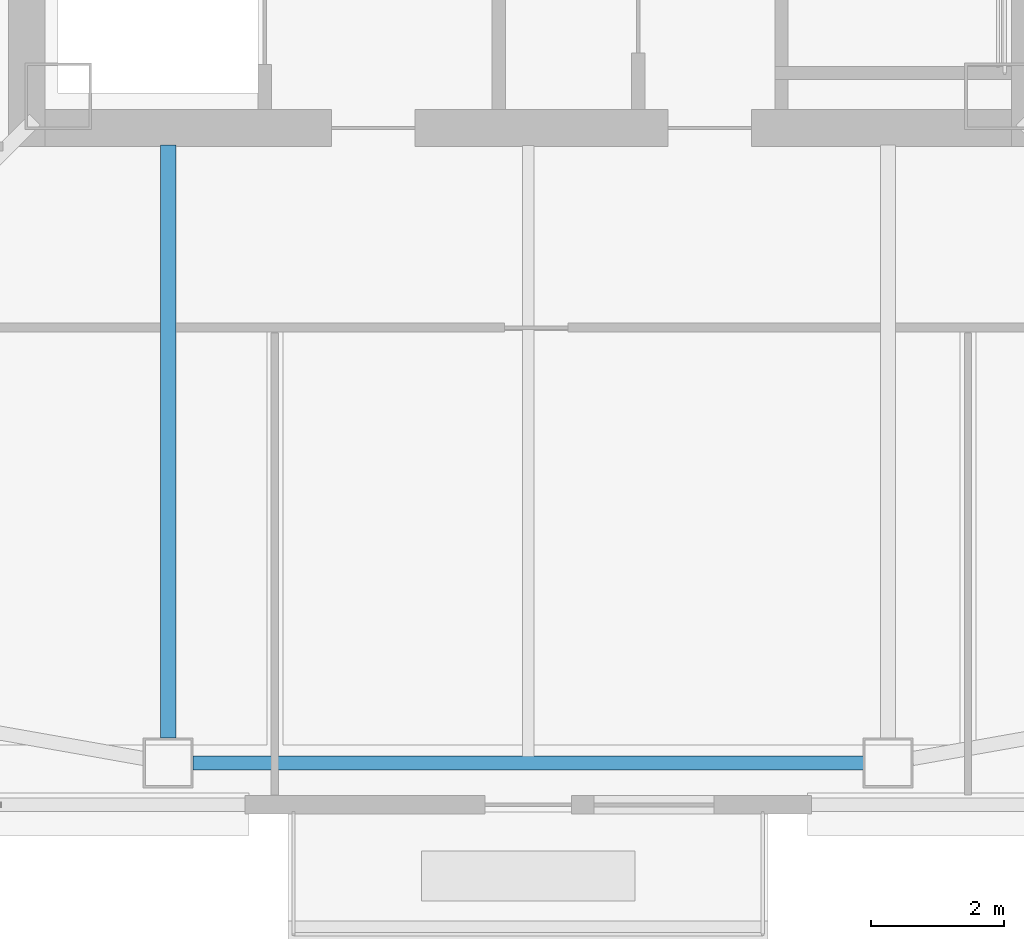
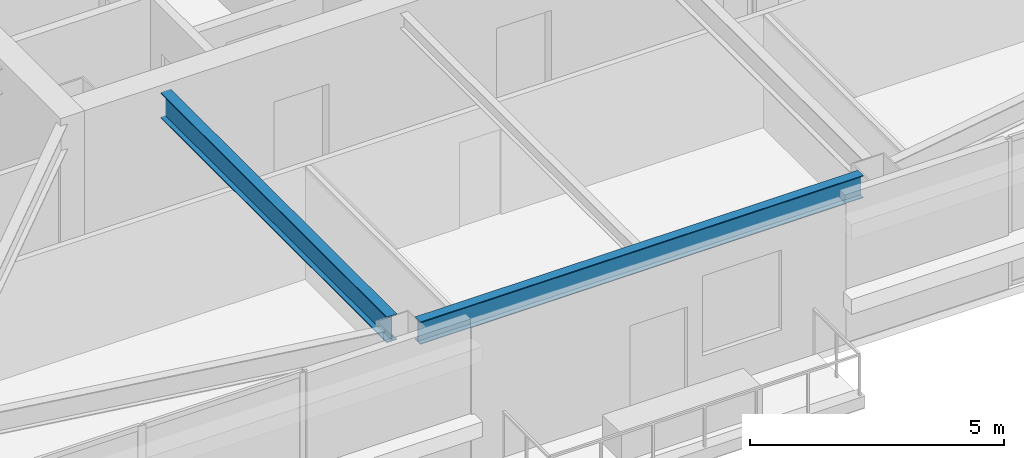
# One storey, part 5 of 44: 2 beams.
"""IFC4 building model written with IfcOpenShell, lengths in metres."""

from ifc_helpers import new_model, si_unit, direction, frame, origin, origin_2d, place, context, subcontext, project, spatial, i_section, extrude, material, material_profile, profile_set, type_object, element, save


model = new_model("IFC4")

# Units and contexts
model_context = context("Model", 3, precision=1e-05, world=origin(), true_north=direction((0.0, 1.0)))
body_context = subcontext(model_context, "Body", "Model", "MODEL_VIEW")
ifc_project = project(units=[si_unit("LENGTHUNIT", "METRE"), si_unit("AREAUNIT", "SQUARE_METRE"), si_unit("VOLUMEUNIT", "CUBIC_METRE"), si_unit("PLANEANGLEUNIT", "RADIAN"), si_unit("MASSUNIT", "GRAM", prefix="KILO")], contexts=[model_context])

# Site, building, storey
site_placement = place(None, origin())
site = spatial("IfcSite", under=ifc_project, at=site_placement, CompositionType="ELEMENT")
building_placement = place(site_placement, origin())
building = spatial("IfcBuilding", under=site, at=building_placement, Name="Tashvorn Skyway Center", CompositionType="ELEMENT")
storey_placement = place(building_placement, frame((0.0, 0.0, 181.85009765625)))
storey = spatial("IfcBuildingStorey", under=building, at=storey_placement, Name="L49", CompositionType="ELEMENT", Elevation=181.85009765625)

# Beams
ifc_material = material(Name="Steel ASTM A992 Grade 50", Category="steel")
ifc_material_profile_1 = material_profile(ifc_material, i_section(OverallWidth=0.22998046875, OverallDepth=0.616943359375, WebThickness=0.01318359375, FlangeThickness=0.022216796875, at=origin_2d()), Name="W24X94")
ifc_profile_set_1 = profile_set([ifc_material_profile_1], Name="Steel ASTM A992 Grade 50")
beam_type_1 = type_object("IfcBeamType", Name="BM-BEAM-W24X94", PredefinedType="BEAM", material=ifc_profile_set_1)
beam_1_placement = place(storey_placement, frame((36.60009765625, 15.320068359375, 3.0615234375), z_axis=(0.0, 1.0, 0.0), x_axis=(-1.0, 0.0, 0.0)))
element("IfcBeam", 1, at=beam_1_placement, inside=storey, type_object=beam_type_1, Name="Tower 1 L49 Primary Floor Girder FC-S1", PredefinedType="BEAM", context=body_context, shape_type="SweptSolid", body=[
    extrude(i_section(OverallWidth=0.22998046875, OverallDepth=0.616943359375, WebThickness=0.01318359375, FlangeThickness=0.022216796875, at=origin_2d()), origin(), (0.0, 0.0, 1.0), 8.89990234375),
])
ifc_material_profile_2 = material_profile(ifc_material, i_section(OverallWidth=0.2109375, OverallDepth=0.5390625, WebThickness=0.01171875, FlangeThickness=0.018798828125, at=origin_2d()), Name="W21X73")
ifc_profile_set_2 = profile_set([ifc_material_profile_2], Name="Steel ASTM A992 Grade 50")
beam_type_2 = type_object("IfcBeamType", Name="BM-SPANDREL-W21X73", PredefinedType="SPANDREL", material=ifc_profile_set_2)
beam_2_placement = place(storey_placement, frame((36.969970703125, 14.949951171875, 3.100341796875), z_axis=(1.0, 0.0, 0.0), x_axis=(0.0, 1.0, 0.0)))
element("IfcBeam", 2, at=beam_2_placement, inside=storey, type_object=beam_type_2, Name="Tower 1 L49 Spandrel Beam 02", PredefinedType="SPANDREL", context=body_context, shape_type="SweptSolid", body=[
    extrude(i_section(OverallWidth=0.2109375, OverallDepth=0.5390625, WebThickness=0.01171875, FlangeThickness=0.018798828125, at=origin_2d()), origin(), (0.0, 0.0, 1.0), 10.06005859375),
])

save(model, "model.ifc")
